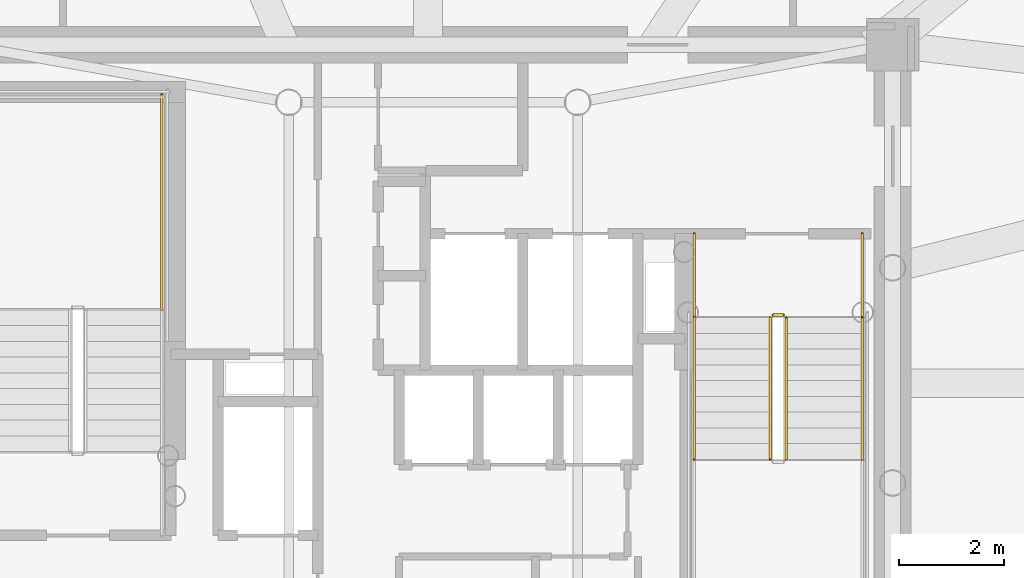
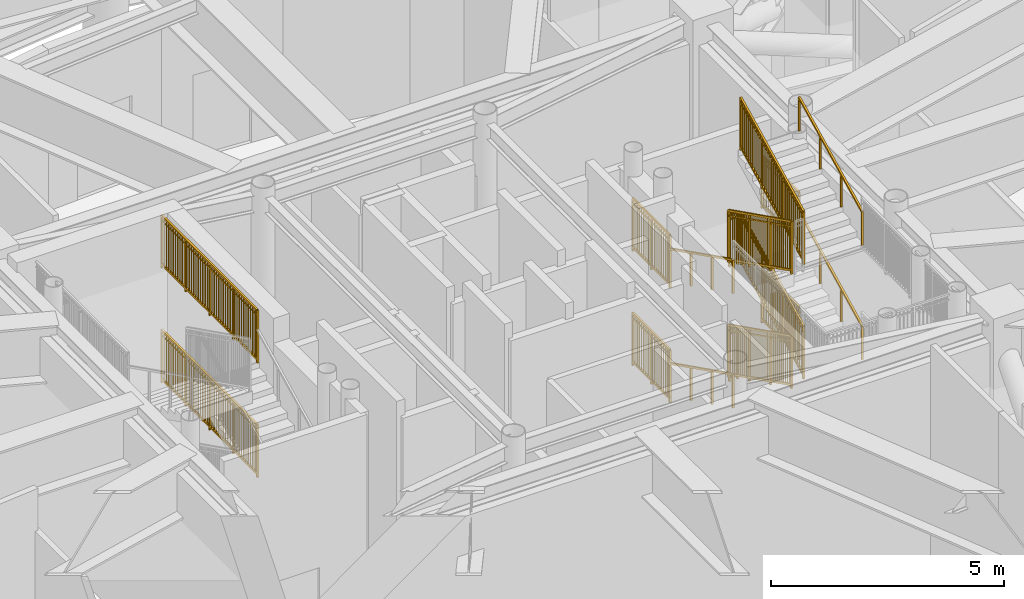
# One storey, part 16 of 17: 16 railings.
"""IFC4 building model written with IfcOpenShell, lengths in metres."""

from ifc_helpers import new_model, si_unit, direction, frame, origin, origin_2d, place, context, subcontext, project, spatial, rectangle, extrude, source, transform, mapped, material, type_object, element, save


model = new_model("IFC4")

# Units and contexts
model_context = context("Model", 3, precision=1e-05, world=origin(), true_north=direction((0.0, 1.0)))
body_context = subcontext(model_context, "Body", "Model", "MODEL_VIEW")
ifc_project = project(units=[si_unit("LENGTHUNIT", "METRE"), si_unit("AREAUNIT", "SQUARE_METRE"), si_unit("VOLUMEUNIT", "CUBIC_METRE"), si_unit("PLANEANGLEUNIT", "RADIAN"), si_unit("MASSUNIT", "GRAM", prefix="KILO")], contexts=[model_context])

# Site, building, storey
site_placement = place(None, origin())
site = spatial("IfcSite", under=ifc_project, at=site_placement, CompositionType="ELEMENT")
building_placement = place(site_placement, origin())
building = spatial("IfcBuilding", under=site, at=building_placement, Name="Linh Dai School and Residence Tower", CompositionType="ELEMENT")
storey_placement = place(building_placement, frame((0.0, 0.0, 318.0)))
storey = spatial("IfcBuildingStorey", under=building, at=storey_placement, Name="L79", CompositionType="ELEMENT", Elevation=318.0)

# Railings
ifc_material_1 = material(Name="Structural Steel S355JR", Category="steel")
railing_type_1 = type_object("IfcRailingType", Name="RL-ST-GUARD-1400", PredefinedType="GUARDRAIL", material=ifc_material_1)
shared_shape_1 = source(origin(), body_context, "Body", "SweptSolid", [
    extrude(rectangle(XDim=0.048095703125, YDim=0.048095703125, at=origin_2d()), frame((0.0, 0.0, 1.3759765625), z_axis=(0.0, 0.894411015155, 0.447245945728), x_axis=(-1.0, 0.0, 0.0)), (0.0, 0.0, 1.0), 3.018798828125),
    extrude(rectangle(XDim=0.048095703125, YDim=0.048095703125, at=origin_2d()), frame((0.0, 0.0, 0.10009765625), z_axis=(0.0, 0.894411015155, 0.447245945728), x_axis=(-1.0, 0.0, 0.0)), (0.0, 0.0, 1.0), 3.018798828125),
    extrude(rectangle(XDim=0.030029296875, YDim=0.030029296875, at=origin_2d()), frame((0.0, 0.0, 1.239990234375), z_axis=(0.0, 0.894411015155, 0.447245945728), x_axis=(-1.0, 0.0, 0.0)), (0.0, 0.0, 1.0), 3.018798828125),
    extrude(rectangle(XDim=0.02001953125, YDim=0.02001953125, at=origin_2d()), frame((0.0, 0.087158203125, 0.1435546875)), (0.0, 0.0, 1.0), 1.251708984375),
    extrude(rectangle(XDim=0.02001953125, YDim=0.02001953125, at=origin_2d()), frame((0.0, 0.174072265625, 0.187255859375)), (0.0, 0.0, 1.0), 1.251708984375),
    extrude(rectangle(XDim=0.02001953125, YDim=0.02001953125, at=origin_2d()), frame((0.0, 0.26123046875, 0.230712890625)), (0.0, 0.0, 1.0), 1.251708984375),
    extrude(rectangle(XDim=0.02001953125, YDim=0.02001953125, at=origin_2d()), frame((0.0, 0.348388671875, 0.2744140625)), (0.0, 0.0, 1.0), 1.251708984375),
    extrude(rectangle(XDim=0.02001953125, YDim=0.02001953125, at=origin_2d()), frame((0.0, 0.435546875, 0.31787109375)), (0.0, 0.0, 1.0), 1.251708984375),
    extrude(rectangle(XDim=0.02001953125, YDim=0.02001953125, at=origin_2d()), frame((0.0, 0.5224609375, 0.361328125)), (0.0, 0.0, 1.0), 1.251708984375),
    extrude(rectangle(XDim=0.02001953125, YDim=0.02001953125, at=origin_2d()), frame((0.0, 0.609619140625, 0.405029296875)), (0.0, 0.0, 1.0), 1.251708984375),
    extrude(rectangle(XDim=0.02001953125, YDim=0.02001953125, at=origin_2d()), frame((0.0, 0.69677734375, 0.448486328125)), (0.0, 0.0, 1.0), 1.251708984375),
    extrude(rectangle(XDim=0.02001953125, YDim=0.02001953125, at=origin_2d()), frame((0.0, 0.783935546875, 0.491943359375)), (0.0, 0.0, 1.0), 1.251708984375),
    extrude(rectangle(XDim=0.02001953125, YDim=0.02001953125, at=origin_2d()), frame((0.0, 0.9580078125, 0.5791015625)), (0.0, 0.0, 1.0), 1.251708984375),
    extrude(rectangle(XDim=0.02001953125, YDim=0.02001953125, at=origin_2d()), frame((0.0, 1.045166015625, 0.622802734375)), (0.0, 0.0, 1.0), 1.251708984375),
    extrude(rectangle(XDim=0.02001953125, YDim=0.02001953125, at=origin_2d()), frame((0.0, 1.13232421875, 0.666259765625)), (0.0, 0.0, 1.0), 1.251708984375),
    extrude(rectangle(XDim=0.02001953125, YDim=0.02001953125, at=origin_2d()), frame((0.0, 1.21923828125, 0.709716796875)), (0.0, 0.0, 1.0), 1.251708984375),
    extrude(rectangle(XDim=0.02001953125, YDim=0.02001953125, at=origin_2d()), frame((0.0, 1.306396484375, 0.75341796875)), (0.0, 0.0, 1.0), 1.251708984375),
    extrude(rectangle(XDim=0.02001953125, YDim=0.02001953125, at=origin_2d()), frame((0.0, 1.3935546875, 0.796875)), (0.0, 0.0, 1.0), 1.251708984375),
    extrude(rectangle(XDim=0.02001953125, YDim=0.02001953125, at=origin_2d()), frame((0.0, 1.480712890625, 0.840576171875)), (0.0, 0.0, 1.0), 1.251708984375),
    extrude(rectangle(XDim=0.02001953125, YDim=0.02001953125, at=origin_2d()), frame((0.0, 1.567626953125, 0.884033203125)), (0.0, 0.0, 1.0), 1.251708984375),
    extrude(rectangle(XDim=0.02001953125, YDim=0.02001953125, at=origin_2d()), frame((0.0, 1.65478515625, 0.927490234375)), (0.0, 0.0, 1.0), 1.251708984375),
    extrude(rectangle(XDim=0.02001953125, YDim=0.02001953125, at=origin_2d()), frame((0.0, 1.741943359375, 0.97119140625)), (0.0, 0.0, 1.0), 1.251708984375),
    extrude(rectangle(XDim=0.02001953125, YDim=0.02001953125, at=origin_2d()), frame((0.0, 1.916015625, 1.058349609375)), (0.0, 0.0, 1.0), 1.251708984375),
    extrude(rectangle(XDim=0.02001953125, YDim=0.02001953125, at=origin_2d()), frame((0.0, 2.003173828125, 1.101806640625)), (0.0, 0.0, 1.0), 1.251708984375),
    extrude(rectangle(XDim=0.02001953125, YDim=0.02001953125, at=origin_2d()), frame((0.0, 2.09033203125, 1.145263671875)), (0.0, 0.0, 1.0), 1.251708984375),
    extrude(rectangle(XDim=0.02001953125, YDim=0.02001953125, at=origin_2d()), frame((0.0, 2.177490234375, 1.18896484375)), (0.0, 0.0, 1.0), 1.251708984375),
    extrude(rectangle(XDim=0.02001953125, YDim=0.02001953125, at=origin_2d()), frame((0.0, 2.264404296875, 1.232421875)), (0.0, 0.0, 1.0), 1.251708984375),
    extrude(rectangle(XDim=0.02001953125, YDim=0.02001953125, at=origin_2d()), frame((0.0, 2.3515625, 1.27587890625)), (0.0, 0.0, 1.0), 1.251708984375),
    extrude(rectangle(XDim=0.02001953125, YDim=0.02001953125, at=origin_2d()), frame((0.0, 2.438720703125, 1.319580078125)), (0.0, 0.0, 1.0), 1.251708984375),
    extrude(rectangle(XDim=0.02001953125, YDim=0.02001953125, at=origin_2d()), frame((0.0, 2.52587890625, 1.363037109375)), (0.0, 0.0, 1.0), 1.251708984375),
    extrude(rectangle(XDim=0.02001953125, YDim=0.02001953125, at=origin_2d()), frame((0.0, 2.61279296875, 1.40673828125)), (0.0, 0.0, 1.0), 1.251708984375),
    extrude(rectangle(XDim=0.0419921875, YDim=0.0419921875, at=origin_2d()), origin(), (0.0, 0.0, 1.0), 1.3759765625),
    extrude(rectangle(XDim=0.0419921875, YDim=0.0419921875, at=origin_2d()), frame((0.0, 0.89990234375, 0.449951171875)), (0.0, 0.0, 1.0), 1.3759765625),
    extrude(rectangle(XDim=0.0419921875, YDim=0.0419921875, at=origin_2d()), frame((0.0, 1.800048828125, 0.900146484375)), (0.0, 0.0, 1.0), 1.3759765625),
    extrude(rectangle(XDim=0.0419921875, YDim=0.0419921875, at=origin_2d()), frame((0.0, 2.699951171875, 1.35009765625)), (0.0, 0.0, 1.0), 1.3759765625),
])
for number, where, name in (
    (1, (42.820068359375, 25.550048828125, 1.64990234375), "L79 ST2 stair guard 6"),
    (2, (42.820068359375, 25.550048828125, 4.64990234375), "L79 ST2 stair guard 15"),
):
    element("IfcRailing", number, at=place(storey_placement, frame(where)), inside=storey, type_object=railing_type_1, Name=name, PredefinedType="GUARDRAIL", context=body_context, shape_type="MappedRepresentation", body=[
        mapped(shared_shape_1, transform((0.0, 0.0, 0.0), x_axis=(1.0, 0.0, 0.0), y_axis=(0.0, 1.0, 0.0), z_axis=(0.0, 0.0, 1.0), scale=1.0)),
    ])
shared_shape_2 = source(origin(), body_context, "Body", "SweptSolid", [
    extrude(rectangle(XDim=0.048095703125, YDim=0.048095703125, at=origin_2d()), frame((0.0, 0.0, 1.3759765625), z_axis=(0.0, 1.0, 0.0), x_axis=(-1.0, 0.0, 0.0)), (0.0, 0.0, 1.0), 4.10009765625),
    extrude(rectangle(XDim=0.048095703125, YDim=0.048095703125, at=origin_2d()), frame((0.0, 0.0, 0.10009765625), z_axis=(0.0, 1.0, 0.0), x_axis=(-1.0, 0.0, 0.0)), (0.0, 0.0, 1.0), 4.10009765625),
    extrude(rectangle(XDim=0.030029296875, YDim=0.030029296875, at=origin_2d()), frame((0.0, 0.0, 1.239990234375), z_axis=(0.0, 1.0, 0.0), x_axis=(-1.0, 0.0, 0.0)), (0.0, 0.0, 1.0), 4.10009765625),
    extrude(rectangle(XDim=0.02001953125, YDim=0.02001953125, at=origin_2d()), frame((0.0, 0.09765625, 0.10009765625)), (0.0, 0.0, 1.0), 1.251708984375),
    extrude(rectangle(XDim=0.02001953125, YDim=0.02001953125, at=origin_2d()), frame((0.0, 0.1953125, 0.10009765625)), (0.0, 0.0, 1.0), 1.251708984375),
    extrude(rectangle(XDim=0.02001953125, YDim=0.02001953125, at=origin_2d()), frame((0.0, 0.29296875, 0.10009765625)), (0.0, 0.0, 1.0), 1.251708984375),
    extrude(rectangle(XDim=0.02001953125, YDim=0.02001953125, at=origin_2d()), frame((0.0, 0.390380859375, 0.10009765625)), (0.0, 0.0, 1.0), 1.251708984375),
    extrude(rectangle(XDim=0.02001953125, YDim=0.02001953125, at=origin_2d()), frame((0.0, 0.488037109375, 0.10009765625)), (0.0, 0.0, 1.0), 1.251708984375),
    extrude(rectangle(XDim=0.02001953125, YDim=0.02001953125, at=origin_2d()), frame((0.0, 0.585693359375, 0.10009765625)), (0.0, 0.0, 1.0), 1.251708984375),
    extrude(rectangle(XDim=0.02001953125, YDim=0.02001953125, at=origin_2d()), frame((0.0, 0.683349609375, 0.10009765625)), (0.0, 0.0, 1.0), 1.251708984375),
    extrude(rectangle(XDim=0.02001953125, YDim=0.02001953125, at=origin_2d()), frame((0.0, 0.781005859375, 0.10009765625)), (0.0, 0.0, 1.0), 1.251708984375),
    extrude(rectangle(XDim=0.02001953125, YDim=0.02001953125, at=origin_2d()), frame((0.0, 0.878662109375, 0.10009765625)), (0.0, 0.0, 1.0), 1.251708984375),
    extrude(rectangle(XDim=0.02001953125, YDim=0.02001953125, at=origin_2d()), frame((0.0, 0.976318359375, 0.10009765625)), (0.0, 0.0, 1.0), 1.251708984375),
    extrude(rectangle(XDim=0.02001953125, YDim=0.02001953125, at=origin_2d()), frame((0.0, 1.07373046875, 0.10009765625)), (0.0, 0.0, 1.0), 1.251708984375),
    extrude(rectangle(XDim=0.02001953125, YDim=0.02001953125, at=origin_2d()), frame((0.0, 1.17138671875, 0.10009765625)), (0.0, 0.0, 1.0), 1.251708984375),
    extrude(rectangle(XDim=0.02001953125, YDim=0.02001953125, at=origin_2d()), frame((0.0, 1.26904296875, 0.10009765625)), (0.0, 0.0, 1.0), 1.251708984375),
    extrude(rectangle(XDim=0.02001953125, YDim=0.02001953125, at=origin_2d()), frame((0.0, 1.36669921875, 0.10009765625)), (0.0, 0.0, 1.0), 1.251708984375),
    extrude(rectangle(XDim=0.02001953125, YDim=0.02001953125, at=origin_2d()), frame((0.0, 1.46435546875, 0.10009765625)), (0.0, 0.0, 1.0), 1.251708984375),
    extrude(rectangle(XDim=0.02001953125, YDim=0.02001953125, at=origin_2d()), frame((0.0, 1.56201171875, 0.10009765625)), (0.0, 0.0, 1.0), 1.251708984375),
    extrude(rectangle(XDim=0.02001953125, YDim=0.02001953125, at=origin_2d()), frame((0.0, 1.65966796875, 0.10009765625)), (0.0, 0.0, 1.0), 1.251708984375),
    extrude(rectangle(XDim=0.02001953125, YDim=0.02001953125, at=origin_2d()), frame((0.0, 1.757080078125, 0.10009765625)), (0.0, 0.0, 1.0), 1.251708984375),
    extrude(rectangle(XDim=0.02001953125, YDim=0.02001953125, at=origin_2d()), frame((0.0, 1.854736328125, 0.10009765625)), (0.0, 0.0, 1.0), 1.251708984375),
    extrude(rectangle(XDim=0.02001953125, YDim=0.02001953125, at=origin_2d()), frame((0.0, 1.952392578125, 0.10009765625)), (0.0, 0.0, 1.0), 1.251708984375),
    extrude(rectangle(XDim=0.02001953125, YDim=0.02001953125, at=origin_2d()), frame((0.0, 2.147705078125, 0.10009765625)), (0.0, 0.0, 1.0), 1.251708984375),
    extrude(rectangle(XDim=0.02001953125, YDim=0.02001953125, at=origin_2d()), frame((0.0, 2.245361328125, 0.10009765625)), (0.0, 0.0, 1.0), 1.251708984375),
    extrude(rectangle(XDim=0.02001953125, YDim=0.02001953125, at=origin_2d()), frame((0.0, 2.343017578125, 0.10009765625)), (0.0, 0.0, 1.0), 1.251708984375),
    extrude(rectangle(XDim=0.02001953125, YDim=0.02001953125, at=origin_2d()), frame((0.0, 2.4404296875, 0.10009765625)), (0.0, 0.0, 1.0), 1.251708984375),
    extrude(rectangle(XDim=0.02001953125, YDim=0.02001953125, at=origin_2d()), frame((0.0, 2.5380859375, 0.10009765625)), (0.0, 0.0, 1.0), 1.251708984375),
    extrude(rectangle(XDim=0.02001953125, YDim=0.02001953125, at=origin_2d()), frame((0.0, 2.6357421875, 0.10009765625)), (0.0, 0.0, 1.0), 1.251708984375),
    extrude(rectangle(XDim=0.02001953125, YDim=0.02001953125, at=origin_2d()), frame((0.0, 2.7333984375, 0.10009765625)), (0.0, 0.0, 1.0), 1.251708984375),
    extrude(rectangle(XDim=0.02001953125, YDim=0.02001953125, at=origin_2d()), frame((0.0, 2.8310546875, 0.10009765625)), (0.0, 0.0, 1.0), 1.251708984375),
    extrude(rectangle(XDim=0.02001953125, YDim=0.02001953125, at=origin_2d()), frame((0.0, 2.9287109375, 0.10009765625)), (0.0, 0.0, 1.0), 1.251708984375),
    extrude(rectangle(XDim=0.02001953125, YDim=0.02001953125, at=origin_2d()), frame((0.0, 3.0263671875, 0.10009765625)), (0.0, 0.0, 1.0), 1.251708984375),
    extrude(rectangle(XDim=0.02001953125, YDim=0.02001953125, at=origin_2d()), frame((0.0, 3.123779296875, 0.10009765625)), (0.0, 0.0, 1.0), 1.251708984375),
    extrude(rectangle(XDim=0.02001953125, YDim=0.02001953125, at=origin_2d()), frame((0.0, 3.221435546875, 0.10009765625)), (0.0, 0.0, 1.0), 1.251708984375),
    extrude(rectangle(XDim=0.02001953125, YDim=0.02001953125, at=origin_2d()), frame((0.0, 3.319091796875, 0.10009765625)), (0.0, 0.0, 1.0), 1.251708984375),
    extrude(rectangle(XDim=0.02001953125, YDim=0.02001953125, at=origin_2d()), frame((0.0, 3.416748046875, 0.10009765625)), (0.0, 0.0, 1.0), 1.251708984375),
    extrude(rectangle(XDim=0.02001953125, YDim=0.02001953125, at=origin_2d()), frame((0.0, 3.514404296875, 0.10009765625)), (0.0, 0.0, 1.0), 1.251708984375),
    extrude(rectangle(XDim=0.02001953125, YDim=0.02001953125, at=origin_2d()), frame((0.0, 3.612060546875, 0.10009765625)), (0.0, 0.0, 1.0), 1.251708984375),
    extrude(rectangle(XDim=0.02001953125, YDim=0.02001953125, at=origin_2d()), frame((0.0, 3.709716796875, 0.10009765625)), (0.0, 0.0, 1.0), 1.251708984375),
    extrude(rectangle(XDim=0.02001953125, YDim=0.02001953125, at=origin_2d()), frame((0.0, 3.80712890625, 0.10009765625)), (0.0, 0.0, 1.0), 1.251708984375),
    extrude(rectangle(XDim=0.02001953125, YDim=0.02001953125, at=origin_2d()), frame((0.0, 3.90478515625, 0.10009765625)), (0.0, 0.0, 1.0), 1.251708984375),
    extrude(rectangle(XDim=0.02001953125, YDim=0.02001953125, at=origin_2d()), frame((0.0, 4.00244140625, 0.10009765625)), (0.0, 0.0, 1.0), 1.251708984375),
    extrude(rectangle(XDim=0.0419921875, YDim=0.0419921875, at=origin_2d()), origin(), (0.0, 0.0, 1.0), 1.3759765625),
    extrude(rectangle(XDim=0.0419921875, YDim=0.0419921875, at=origin_2d()), frame((0.0, 1.02490234375, 0.0)), (0.0, 0.0, 1.0), 1.3759765625),
    extrude(rectangle(XDim=0.0419921875, YDim=0.0419921875, at=origin_2d()), frame((0.0, 2.050048828125, 0.0)), (0.0, 0.0, 1.0), 1.3759765625),
    extrude(rectangle(XDim=0.0419921875, YDim=0.0419921875, at=origin_2d()), frame((0.0, 3.0751953125, 0.0)), (0.0, 0.0, 1.0), 1.3759765625),
    extrude(rectangle(XDim=0.0419921875, YDim=0.0419921875, at=origin_2d()), frame((0.0, 4.10009765625, 0.0)), (0.0, 0.0, 1.0), 1.3759765625),
])
for number, where, name in (
    (3, (30.929931640625, 28.39990234375, 1.5), "L79 ST1 stair guard 3"),
    (4, (30.929931640625, 28.39990234375, 4.5), "L79 ST1 stair guard 12"),
):
    element("IfcRailing", number, at=place(storey_placement, frame(where)), inside=storey, type_object=railing_type_1, Name=name, PredefinedType="GUARDRAIL", context=body_context, shape_type="MappedRepresentation", body=[
        mapped(shared_shape_2, transform((0.0, 0.0, 0.0), x_axis=(1.0, 0.0, 0.0), y_axis=(0.0, 1.0, 0.0), z_axis=(0.0, 0.0, 1.0), scale=1.0)),
    ])
shared_shape_3 = source(origin(), body_context, "Body", "SweptSolid", [
    extrude(rectangle(XDim=0.048095703125, YDim=0.048095703125, at=origin_2d()), frame((0.0, 0.0, 1.3759765625), z_axis=(0.0, -0.894411015155, 0.447245945728), x_axis=(1.0, 0.0, 0.0)), (0.0, 0.0, 1.0), 3.018798828125),
    extrude(rectangle(XDim=0.048095703125, YDim=0.048095703125, at=origin_2d()), frame((0.0, 0.0, 0.10009765625), z_axis=(0.0, -0.894411015155, 0.447245945728), x_axis=(1.0, 0.0, 0.0)), (0.0, 0.0, 1.0), 3.018798828125),
    extrude(rectangle(XDim=0.030029296875, YDim=0.030029296875, at=origin_2d()), frame((0.0, 0.0, 1.239990234375), z_axis=(0.0, -0.894411015155, 0.447245945728), x_axis=(1.0, 0.0, 0.0)), (0.0, 0.0, 1.0), 3.018798828125),
    extrude(rectangle(XDim=0.02001953125, YDim=0.02001953125, at=origin_2d()), frame((0.0, -0.087158203125, 0.1435546875)), (0.0, 0.0, 1.0), 1.251708984375),
    extrude(rectangle(XDim=0.02001953125, YDim=0.02001953125, at=origin_2d()), frame((0.0, -0.174072265625, 0.187255859375)), (0.0, 0.0, 1.0), 1.251708984375),
    extrude(rectangle(XDim=0.02001953125, YDim=0.02001953125, at=origin_2d()), frame((0.0, -0.26123046875, 0.230712890625)), (0.0, 0.0, 1.0), 1.251708984375),
    extrude(rectangle(XDim=0.02001953125, YDim=0.02001953125, at=origin_2d()), frame((0.0, -0.348388671875, 0.2744140625)), (0.0, 0.0, 1.0), 1.251708984375),
    extrude(rectangle(XDim=0.02001953125, YDim=0.02001953125, at=origin_2d()), frame((0.0, -0.435546875, 0.31787109375)), (0.0, 0.0, 1.0), 1.251708984375),
    extrude(rectangle(XDim=0.02001953125, YDim=0.02001953125, at=origin_2d()), frame((0.0, -0.5224609375, 0.361328125)), (0.0, 0.0, 1.0), 1.251708984375),
    extrude(rectangle(XDim=0.02001953125, YDim=0.02001953125, at=origin_2d()), frame((0.0, -0.609619140625, 0.405029296875)), (0.0, 0.0, 1.0), 1.251708984375),
    extrude(rectangle(XDim=0.02001953125, YDim=0.02001953125, at=origin_2d()), frame((0.0, -0.69677734375, 0.448486328125)), (0.0, 0.0, 1.0), 1.251708984375),
    extrude(rectangle(XDim=0.02001953125, YDim=0.02001953125, at=origin_2d()), frame((0.0, -0.783935546875, 0.491943359375)), (0.0, 0.0, 1.0), 1.251708984375),
    extrude(rectangle(XDim=0.02001953125, YDim=0.02001953125, at=origin_2d()), frame((0.0, -0.9580078125, 0.5791015625)), (0.0, 0.0, 1.0), 1.251708984375),
    extrude(rectangle(XDim=0.02001953125, YDim=0.02001953125, at=origin_2d()), frame((0.0, -1.045166015625, 0.622802734375)), (0.0, 0.0, 1.0), 1.251708984375),
    extrude(rectangle(XDim=0.02001953125, YDim=0.02001953125, at=origin_2d()), frame((0.0, -1.13232421875, 0.666259765625)), (0.0, 0.0, 1.0), 1.251708984375),
    extrude(rectangle(XDim=0.02001953125, YDim=0.02001953125, at=origin_2d()), frame((0.0, -1.21923828125, 0.709716796875)), (0.0, 0.0, 1.0), 1.251708984375),
    extrude(rectangle(XDim=0.02001953125, YDim=0.02001953125, at=origin_2d()), frame((0.0, -1.306396484375, 0.75341796875)), (0.0, 0.0, 1.0), 1.251708984375),
    extrude(rectangle(XDim=0.02001953125, YDim=0.02001953125, at=origin_2d()), frame((0.0, -1.3935546875, 0.796875)), (0.0, 0.0, 1.0), 1.251708984375),
    extrude(rectangle(XDim=0.02001953125, YDim=0.02001953125, at=origin_2d()), frame((0.0, -1.480712890625, 0.840576171875)), (0.0, 0.0, 1.0), 1.251708984375),
    extrude(rectangle(XDim=0.02001953125, YDim=0.02001953125, at=origin_2d()), frame((0.0, -1.567626953125, 0.884033203125)), (0.0, 0.0, 1.0), 1.251708984375),
    extrude(rectangle(XDim=0.02001953125, YDim=0.02001953125, at=origin_2d()), frame((0.0, -1.65478515625, 0.927490234375)), (0.0, 0.0, 1.0), 1.251708984375),
    extrude(rectangle(XDim=0.02001953125, YDim=0.02001953125, at=origin_2d()), frame((0.0, -1.741943359375, 0.97119140625)), (0.0, 0.0, 1.0), 1.251708984375),
    extrude(rectangle(XDim=0.02001953125, YDim=0.02001953125, at=origin_2d()), frame((0.0, -1.916015625, 1.058349609375)), (0.0, 0.0, 1.0), 1.251708984375),
    extrude(rectangle(XDim=0.02001953125, YDim=0.02001953125, at=origin_2d()), frame((0.0, -2.003173828125, 1.101806640625)), (0.0, 0.0, 1.0), 1.251708984375),
    extrude(rectangle(XDim=0.02001953125, YDim=0.02001953125, at=origin_2d()), frame((0.0, -2.09033203125, 1.145263671875)), (0.0, 0.0, 1.0), 1.251708984375),
    extrude(rectangle(XDim=0.02001953125, YDim=0.02001953125, at=origin_2d()), frame((0.0, -2.177490234375, 1.18896484375)), (0.0, 0.0, 1.0), 1.251708984375),
    extrude(rectangle(XDim=0.02001953125, YDim=0.02001953125, at=origin_2d()), frame((0.0, -2.264404296875, 1.232421875)), (0.0, 0.0, 1.0), 1.251708984375),
    extrude(rectangle(XDim=0.02001953125, YDim=0.02001953125, at=origin_2d()), frame((0.0, -2.3515625, 1.27587890625)), (0.0, 0.0, 1.0), 1.251708984375),
    extrude(rectangle(XDim=0.02001953125, YDim=0.02001953125, at=origin_2d()), frame((0.0, -2.438720703125, 1.319580078125)), (0.0, 0.0, 1.0), 1.251708984375),
    extrude(rectangle(XDim=0.02001953125, YDim=0.02001953125, at=origin_2d()), frame((0.0, -2.52587890625, 1.363037109375)), (0.0, 0.0, 1.0), 1.251708984375),
    extrude(rectangle(XDim=0.02001953125, YDim=0.02001953125, at=origin_2d()), frame((0.0, -2.61279296875, 1.40673828125)), (0.0, 0.0, 1.0), 1.251708984375),
    extrude(rectangle(XDim=0.0419921875, YDim=0.0419921875, at=origin_2d()), origin(), (0.0, 0.0, 1.0), 1.3759765625),
    extrude(rectangle(XDim=0.0419921875, YDim=0.0419921875, at=origin_2d()), frame((0.0, -0.89990234375, 0.449951171875)), (0.0, 0.0, 1.0), 1.3759765625),
    extrude(rectangle(XDim=0.0419921875, YDim=0.0419921875, at=origin_2d()), frame((0.0, -1.800048828125, 0.900146484375)), (0.0, 0.0, 1.0), 1.3759765625),
    extrude(rectangle(XDim=0.0419921875, YDim=0.0419921875, at=origin_2d()), frame((0.0, -2.699951171875, 1.35009765625)), (0.0, 0.0, 1.0), 1.3759765625),
])
for number, where, name in (
    (5, (42.52001953125, 28.25, 0.14990234375), "L79 ST2 stair guard 1"),
    (6, (42.52001953125, 28.25, 3.14990234375), "L79 ST2 stair guard 10"),
):
    element("IfcRailing", number, at=place(storey_placement, frame(where)), inside=storey, type_object=railing_type_1, Name=name, PredefinedType="GUARDRAIL", context=body_context, shape_type="MappedRepresentation", body=[
        mapped(shared_shape_3, transform((0.0, 0.0, 0.0), x_axis=(1.0, 0.0, 0.0), y_axis=(0.0, 1.0, 0.0), z_axis=(0.0, 0.0, 1.0), scale=1.0)),
    ])
ifc_material_2 = material(Name="Brushed Stainless Steel Handrail", Category="steel")
railing_type_2 = type_object("IfcRailingType", Name="RL-ST-HANDRAIL-900", PredefinedType="HANDRAIL", material=ifc_material_2)
shared_shape_4 = source(origin(), body_context, "Body", "SweptSolid", [
    extrude(rectangle(XDim=0.048095703125, YDim=0.048095703125, at=origin_2d()), frame((0.0, 0.0, 0.8759765625), z_axis=(0.0, 0.894411015155, 0.447245945728), x_axis=(-1.0, 0.0, 0.0)), (0.0, 0.0, 1.0), 3.018798828125),
    extrude(rectangle(XDim=0.0419921875, YDim=0.0419921875, at=origin_2d()), origin(), (0.0, 0.0, 1.0), 0.8759765625),
    extrude(rectangle(XDim=0.0419921875, YDim=0.0419921875, at=origin_2d()), frame((0.0, 0.89990234375, 0.449951171875)), (0.0, 0.0, 1.0), 0.8759765625),
    extrude(rectangle(XDim=0.0419921875, YDim=0.0419921875, at=origin_2d()), frame((0.0, 1.800048828125, 0.900146484375)), (0.0, 0.0, 1.0), 0.8759765625),
    extrude(rectangle(XDim=0.0419921875, YDim=0.0419921875, at=origin_2d()), frame((0.0, 2.699951171875, 1.35009765625)), (0.0, 0.0, 1.0), 0.8759765625),
])
for number, where, name in (
    (7, (44.27001953125, 25.550048828125, 1.64990234375), "L79 ST2 stair handrail 2"),
    (8, (44.27001953125, 25.550048828125, 4.64990234375), "L79 ST2 stair handrail 4"),
):
    element("IfcRailing", number, at=place(storey_placement, frame(where)), inside=storey, type_object=railing_type_2, Name=name, PredefinedType="HANDRAIL", context=body_context, shape_type="MappedRepresentation", body=[
        mapped(shared_shape_4, transform((0.0, 0.0, 0.0), x_axis=(1.0, 0.0, 0.0), y_axis=(0.0, 1.0, 0.0), z_axis=(0.0, 0.0, 1.0), scale=1.0)),
    ])
shared_shape_5 = source(origin(), body_context, "Body", "SweptSolid", [
    extrude(rectangle(XDim=0.048095703125, YDim=0.048095703125, at=origin_2d()), frame((0.0, 0.0, 0.8759765625), z_axis=(0.0, -0.894411015155, 0.447245945728), x_axis=(1.0, 0.0, 0.0)), (0.0, 0.0, 1.0), 3.018798828125),
    extrude(rectangle(XDim=0.0419921875, YDim=0.0419921875, at=origin_2d()), origin(), (0.0, 0.0, 1.0), 0.8759765625),
    extrude(rectangle(XDim=0.0419921875, YDim=0.0419921875, at=origin_2d()), frame((0.0, -0.89990234375, 0.449951171875)), (0.0, 0.0, 1.0), 0.8759765625),
    extrude(rectangle(XDim=0.0419921875, YDim=0.0419921875, at=origin_2d()), frame((0.0, -1.800048828125, 0.900146484375)), (0.0, 0.0, 1.0), 0.8759765625),
    extrude(rectangle(XDim=0.0419921875, YDim=0.0419921875, at=origin_2d()), frame((0.0, -2.699951171875, 1.35009765625)), (0.0, 0.0, 1.0), 0.8759765625),
])
for number, where, name in (
    (9, (41.070068359375, 28.25, 0.14990234375), "L79 ST2 stair handrail 1"),
    (10, (41.070068359375, 28.25, 3.14990234375), "L79 ST2 stair handrail 3"),
):
    element("IfcRailing", number, at=place(storey_placement, frame(where)), inside=storey, type_object=railing_type_2, Name=name, PredefinedType="HANDRAIL", context=body_context, shape_type="MappedRepresentation", body=[
        mapped(shared_shape_5, transform((0.0, 0.0, 0.0), x_axis=(1.0, 0.0, 0.0), y_axis=(0.0, 1.0, 0.0), z_axis=(0.0, 0.0, 1.0), scale=1.0)),
    ])
shared_shape_6 = source(origin(), body_context, "Body", "SweptSolid", [
    extrude(rectangle(XDim=0.048095703125, YDim=0.048095703125, at=origin_2d()), frame((0.0, 0.0, 1.3759765625), z_axis=(1.0, 0.0, 0.0), x_axis=(0.0, 1.0, 0.0)), (0.0, 0.0, 1.0), 0.199951171875),
    extrude(rectangle(XDim=0.048095703125, YDim=0.048095703125, at=origin_2d()), frame((0.0, 0.0, 0.10009765625), z_axis=(1.0, 0.0, 0.0), x_axis=(0.0, 1.0, 0.0)), (0.0, 0.0, 1.0), 0.199951171875),
    extrude(rectangle(XDim=0.030029296875, YDim=0.030029296875, at=origin_2d()), frame((0.0, 0.0, 1.239990234375), z_axis=(1.0, 0.0, 0.0), x_axis=(0.0, 1.0, 0.0)), (0.0, 0.0, 1.0), 0.199951171875),
    extrude(rectangle(XDim=0.0419921875, YDim=0.0419921875, at=origin_2d()), origin(), (0.0, 0.0, 1.0), 1.3759765625),
    extrude(rectangle(XDim=0.0419921875, YDim=0.0419921875, at=origin_2d()), frame((0.199951171875, 0.0, 0.0)), (0.0, 0.0, 1.0), 1.3759765625),
])
for number, where, name in (
    (11, (42.570068359375, 28.300048828125, 3.0), "L79 ST2 stair guard 7"),
    (12, (42.570068359375, 28.300048828125, 0.0), "L79 ST2 stair guard 16"),
):
    element("IfcRailing", number, at=place(storey_placement, frame(where)), inside=storey, type_object=railing_type_1, Name=name, PredefinedType="GUARDRAIL", context=body_context, shape_type="MappedRepresentation", body=[
        mapped(shared_shape_6, transform((0.0, 0.0, 0.0), x_axis=(1.0, 0.0, 0.0), y_axis=(0.0, 1.0, 0.0), z_axis=(0.0, 0.0, 1.0), scale=1.0)),
    ])
shared_shape_7 = source(origin(), body_context, "Body", "SweptSolid", [
    extrude(rectangle(XDim=0.048095703125, YDim=0.048095703125, at=origin_2d()), frame((0.0, 0.0, 1.3759765625), z_axis=(0.0, -1.0, 0.0), x_axis=(1.0, 0.0, 0.0)), (0.0, 0.0, 1.0), 1.60009765625),
    extrude(rectangle(XDim=0.048095703125, YDim=0.048095703125, at=origin_2d()), frame((0.0, 0.0, 0.10009765625), z_axis=(0.0, -1.0, 0.0), x_axis=(1.0, 0.0, 0.0)), (0.0, 0.0, 1.0), 1.60009765625),
    extrude(rectangle(XDim=0.030029296875, YDim=0.030029296875, at=origin_2d()), frame((0.0, 0.0, 1.239990234375), z_axis=(0.0, -1.0, 0.0), x_axis=(1.0, 0.0, 0.0)), (0.0, 0.0, 1.0), 1.60009765625),
    extrude(rectangle(XDim=0.02001953125, YDim=0.02001953125, at=origin_2d()), frame((0.0, -0.09423828125, 0.10009765625)), (0.0, 0.0, 1.0), 1.251708984375),
    extrude(rectangle(XDim=0.02001953125, YDim=0.02001953125, at=origin_2d()), frame((0.0, -0.188232421875, 0.10009765625)), (0.0, 0.0, 1.0), 1.251708984375),
    extrude(rectangle(XDim=0.02001953125, YDim=0.02001953125, at=origin_2d()), frame((0.0, -0.282470703125, 0.10009765625)), (0.0, 0.0, 1.0), 1.251708984375),
    extrude(rectangle(XDim=0.02001953125, YDim=0.02001953125, at=origin_2d()), frame((0.0, -0.37646484375, 0.10009765625)), (0.0, 0.0, 1.0), 1.251708984375),
    extrude(rectangle(XDim=0.02001953125, YDim=0.02001953125, at=origin_2d()), frame((0.0, -0.470703125, 0.10009765625)), (0.0, 0.0, 1.0), 1.251708984375),
    extrude(rectangle(XDim=0.02001953125, YDim=0.02001953125, at=origin_2d()), frame((0.0, -0.564697265625, 0.10009765625)), (0.0, 0.0, 1.0), 1.251708984375),
    extrude(rectangle(XDim=0.02001953125, YDim=0.02001953125, at=origin_2d()), frame((0.0, -0.658935546875, 0.10009765625)), (0.0, 0.0, 1.0), 1.251708984375),
    extrude(rectangle(XDim=0.02001953125, YDim=0.02001953125, at=origin_2d()), frame((0.0, -0.7529296875, 0.10009765625)), (0.0, 0.0, 1.0), 1.251708984375),
    extrude(rectangle(XDim=0.02001953125, YDim=0.02001953125, at=origin_2d()), frame((0.0, -0.84716796875, 0.10009765625)), (0.0, 0.0, 1.0), 1.251708984375),
    extrude(rectangle(XDim=0.02001953125, YDim=0.02001953125, at=origin_2d()), frame((0.0, -0.941162109375, 0.10009765625)), (0.0, 0.0, 1.0), 1.251708984375),
    extrude(rectangle(XDim=0.02001953125, YDim=0.02001953125, at=origin_2d()), frame((0.0, -1.035400390625, 0.10009765625)), (0.0, 0.0, 1.0), 1.251708984375),
    extrude(rectangle(XDim=0.02001953125, YDim=0.02001953125, at=origin_2d()), frame((0.0, -1.12939453125, 0.10009765625)), (0.0, 0.0, 1.0), 1.251708984375),
    extrude(rectangle(XDim=0.02001953125, YDim=0.02001953125, at=origin_2d()), frame((0.0, -1.2236328125, 0.10009765625)), (0.0, 0.0, 1.0), 1.251708984375),
    extrude(rectangle(XDim=0.02001953125, YDim=0.02001953125, at=origin_2d()), frame((0.0, -1.317626953125, 0.10009765625)), (0.0, 0.0, 1.0), 1.251708984375),
    extrude(rectangle(XDim=0.02001953125, YDim=0.02001953125, at=origin_2d()), frame((0.0, -1.411865234375, 0.10009765625)), (0.0, 0.0, 1.0), 1.251708984375),
    extrude(rectangle(XDim=0.02001953125, YDim=0.02001953125, at=origin_2d()), frame((0.0, -1.505859375, 0.10009765625)), (0.0, 0.0, 1.0), 1.251708984375),
    extrude(rectangle(XDim=0.0419921875, YDim=0.0419921875, at=origin_2d()), origin(), (0.0, 0.0, 1.0), 1.3759765625),
    extrude(rectangle(XDim=0.0419921875, YDim=0.0419921875, at=origin_2d()), frame((0.0, -0.800048828125, 0.0)), (0.0, 0.0, 1.0), 1.3759765625),
    extrude(rectangle(XDim=0.0419921875, YDim=0.0419921875, at=origin_2d()), frame((0.0, -1.60009765625, 0.0)), (0.0, 0.0, 1.0), 1.3759765625),
])
for number, where, name in (
    (13, (41.070068359375, 29.85009765625, 3.0), "L79 ST2 stair guard 8"),
    (14, (44.27001953125, 29.85009765625, 3.0), "L79 ST2 stair guard 9"),
    (15, (41.070068359375, 29.85009765625, 0.0), "L79 ST2 stair guard 17"),
    (16, (44.27001953125, 29.85009765625, 0.0), "L79 ST2 stair guard 18"),
):
    element("IfcRailing", number, at=place(storey_placement, frame(where)), inside=storey, type_object=railing_type_1, Name=name, PredefinedType="GUARDRAIL", context=body_context, shape_type="MappedRepresentation", body=[
        mapped(shared_shape_7, transform((0.0, 0.0, 0.0), x_axis=(1.0, 0.0, 0.0), y_axis=(0.0, 1.0, 0.0), z_axis=(0.0, 0.0, 1.0), scale=1.0)),
    ])

save(model, "model.ifc")
